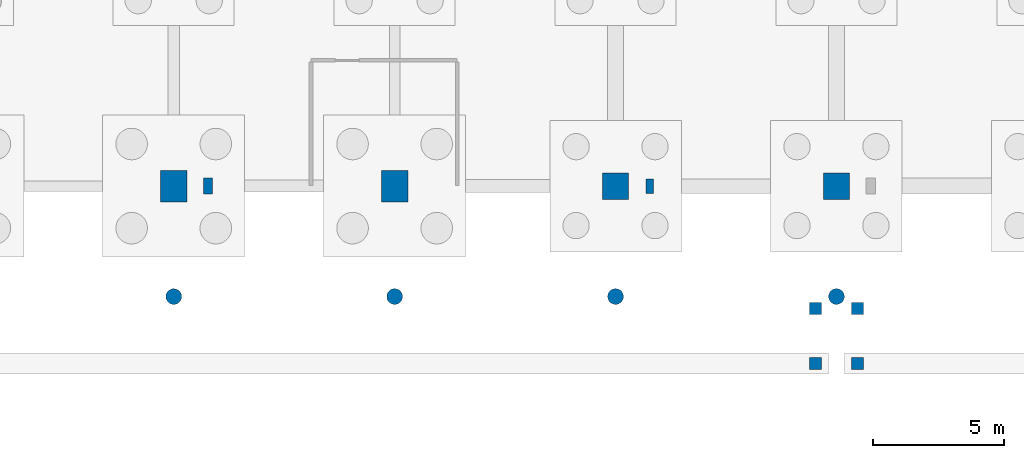
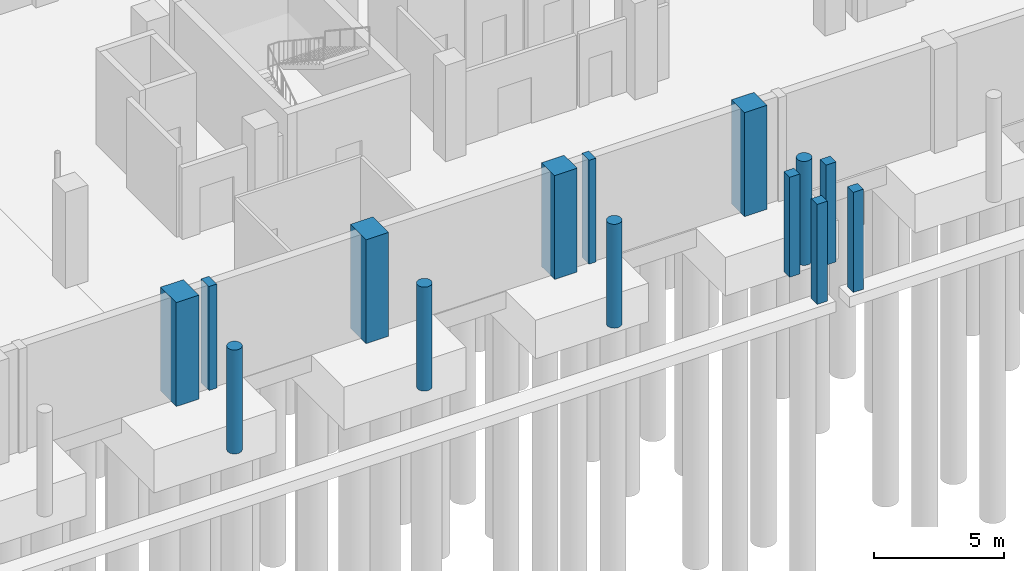
# One storey, part 12 of 39: 14 columns.
"""IFC4 building model written with IfcOpenShell, lengths in metres."""

from ifc_helpers import new_model, si_unit, derived_unit, direction, frame, origin, origin_2d, place, context, subcontext, project, spatial, rectangle, circle, extrude, material, material_profile, profile_set, type_object, element, save


model = new_model("IFC4")

# Units and contexts
model_context = context("Model", 3, precision=1e-05, world=origin(), true_north=direction((0.0, 1.0)))
body_context = subcontext(model_context, "Body", "Model", "MODEL_VIEW")
ifc_project = project(units=[si_unit("LENGTHUNIT", "METRE"), si_unit("AREAUNIT", "SQUARE_METRE"), si_unit("VOLUMEUNIT", "CUBIC_METRE"), si_unit("PLANEANGLEUNIT", "RADIAN"), si_unit("MASSUNIT", "GRAM", prefix="KILO"), derived_unit("THERMALTRANSMITTANCEUNIT", [(si_unit("POWERUNIT", "WATT"), 1), (si_unit("LENGTHUNIT", "METRE"), -2), (si_unit("THERMODYNAMICTEMPERATUREUNIT", "KELVIN"), -1)])], contexts=[model_context])

# Site, building, storey
site_placement = place(None, origin())
site = spatial("IfcSite", under=ifc_project, at=site_placement, CompositionType="ELEMENT")
building_placement = place(site_placement, origin())
building = spatial("IfcBuilding", under=site, at=building_placement, Name="Barrovel Congress Hotel", CompositionType="ELEMENT")
storey_placement = place(building_placement, frame((0.0, 0.0, -4.5)))
storey = spatial("IfcBuildingStorey", under=building, at=storey_placement, Name="B01", CompositionType="ELEMENT", Elevation=-4.5)

# Columns
ifc_material_1 = material(Name="Concrete C40", Category="concrete")
ifc_material_profile_1 = material_profile(ifc_material_1, circle(Radius=0.300048828125, at=origin_2d()), Name="RC-D600")
ifc_profile_set_1 = profile_set([ifc_material_profile_1], Name="Concrete C40")
column_type_1 = type_object("IfcColumnType", Name="COL-RC-D600", PredefinedType="COLUMN", material=ifc_profile_set_1)
for number, where, z_axis, x_axis, name in (
    (1, (67.199951171875, 0.0, -0.360107421875), (0.0, 0.0, 1.0), (1.0, 0.0, 0.0), "COL:B01:67.2:0.0"),
    (2, (75.60009765625, 0.0, -0.360107421875), (0.0, 0.0, 1.0), (1.0, 0.0, 0.0), "COL:B01:75.6:0.0"),
    (3, (84.0, 0.0, -0.360107421875), (0.0, 0.0, 1.0), (1.0, 0.0, 0.0), "COL:B01:84.0:0.0"),
    (4, (92.39990234375, 0.0, -0.360107421875), (0.0, 0.0, 1.0), (1.0, 0.0, 0.0), "COL:B01:92.4:0.0"),
):
    element("IfcColumn", number, at=place(storey_placement, frame(where, z_axis=z_axis, x_axis=x_axis)), inside=storey, type_object=column_type_1, Name=name, PredefinedType="COLUMN", context=body_context, shape_type="SweptSolid", body=[
        extrude(circle(Radius=0.300048828125, at=origin_2d()), origin(), (0.0, 0.0, 1.0), 4.860107421875),
    ])
ifc_material_2 = material(Name="Concrete C50", Category="concrete")
ifc_material_profile_2 = material_profile(ifc_material_2, rectangle(XDim=1.0, YDim=1.0, at=origin_2d()), Name="RC1000x1000")
ifc_profile_set_2 = profile_set([ifc_material_profile_2], Name="Concrete C50")
column_type_2 = type_object("IfcColumnType", Name="COL-RC1000x1000", PredefinedType="COLUMN", material=ifc_profile_set_2)
for number, where, z_axis, x_axis, name in (
    (5, (84.0, 4.199951171875, -0.360107421875), (0.0, 0.0, 1.0), (1.0, 0.0, 0.0), "COL:B01:84.0:4.2"),
    (6, (92.39990234375, 4.199951171875, -0.360107421875), (0.0, 0.0, 1.0), (1.0, 0.0, 0.0), "COL:B01:92.4:4.2"),
):
    element("IfcColumn", number, at=place(storey_placement, frame(where, z_axis=z_axis, x_axis=x_axis)), inside=storey, type_object=column_type_2, Name=name, PredefinedType="COLUMN", context=body_context, shape_type="SweptSolid", body=[
        extrude(rectangle(XDim=1.0, YDim=1.0, at=origin_2d()), origin(), (0.0, 0.0, 1.0), 4.860107421875),
    ])
ifc_material_profile_3 = material_profile(ifc_material_2, rectangle(XDim=1.0, YDim=1.199951171875, at=origin_2d()), Name="RC1000x1200")
ifc_profile_set_3 = profile_set([ifc_material_profile_3], Name="Concrete C50")
column_type_3 = type_object("IfcColumnType", Name="COL-RC1000x1200", PredefinedType="COLUMN", material=ifc_profile_set_3)
for number, where, z_axis, x_axis, name in (
    (7, (67.199951171875, 4.199951171875, -0.360107421875), (0.0, 0.0, 1.0), (1.0, 0.0, 0.0), "COL:B01:67.2:4.2"),
    (8, (75.60009765625, 4.199951171875, -0.360107421875), (0.0, 0.0, 1.0), (1.0, 0.0, 0.0), "COL:B01:75.6:4.2"),
):
    element("IfcColumn", number, at=place(storey_placement, frame(where, z_axis=z_axis, x_axis=x_axis)), inside=storey, type_object=column_type_3, Name=name, PredefinedType="COLUMN", context=body_context, shape_type="SweptSolid", body=[
        extrude(rectangle(XDim=1.0, YDim=1.199951171875, at=origin_2d()), origin(), (0.0, 0.0, 1.0), 4.860107421875),
    ])
ifc_material_profile_4 = material_profile(ifc_material_1, rectangle(XDim=0.449951171875, YDim=0.449951171875, at=origin_2d()), Name="RC450x450")
ifc_profile_set_4 = profile_set([ifc_material_profile_4], Name="Concrete C40")
column_type_4 = type_object("IfcColumnType", Name="COL-RC450x450", PredefinedType="COLUMN", material=ifc_profile_set_4)
for number, where, z_axis, x_axis, name in (
    (9, (91.60009765625, -2.550048828125, -0.360107421875), (0.0, 0.0, 1.0), (1.0, 0.0, 0.0), "COL:PAV-SOUTH-W:2"),
    (10, (91.60009765625, -0.449951171875, -0.360107421875), (0.0, 0.0, 1.0), (1.0, 0.0, 0.0), "COL:PAV-SOUTH-W:3"),
    (11, (93.199951171875, -2.550048828125, -0.360107421875), (0.0, 0.0, 1.0), (1.0, 0.0, 0.0), "COL:PAV-SOUTH-E:1"),
    (12, (93.199951171875, -0.449951171875, -0.360107421875), (0.0, 0.0, 1.0), (1.0, 0.0, 0.0), "COL:PAV-SOUTH-E:4"),
):
    element("IfcColumn", number, at=place(storey_placement, frame(where, z_axis=z_axis, x_axis=x_axis)), inside=storey, type_object=column_type_4, Name=name, PredefinedType="COLUMN", context=body_context, shape_type="SweptSolid", body=[
        extrude(rectangle(XDim=0.449951171875, YDim=0.449951171875, at=origin_2d()), origin(), (0.0, 0.0, 1.0), 4.68017578125),
    ])
ifc_material_profile_5 = material_profile(ifc_material_1, rectangle(XDim=0.300048828125, YDim=0.550048828125, at=origin_2d()), Name="RC300x550")
ifc_profile_set_5 = profile_set([ifc_material_profile_5], Name="Concrete C40")
column_type_5 = type_object("IfcColumnType", Name="PIL-RC300x550", PredefinedType="PILASTER", material=ifc_profile_set_5)
column_1_placement = place(storey_placement, frame((85.300048828125, 4.199951171875, -0.360107421875), z_axis=(0.0, 0.0, 1.0), x_axis=(1.0, 0.0, 0.0)))
element("IfcColumn", 13, at=column_1_placement, inside=storey, type_object=column_type_5, Name="PIL:B01:S:85.3", PredefinedType="PILASTER", context=body_context, shape_type="SweptSolid", body=[
    extrude(rectangle(XDim=0.300048828125, YDim=0.550048828125, at=origin_2d()), origin(), (0.0, 0.0, 1.0), 4.860107421875),
])
ifc_material_profile_6 = material_profile(ifc_material_1, rectangle(XDim=0.35009765625, YDim=0.60009765625, at=origin_2d()), Name="RC350x600")
ifc_profile_set_6 = profile_set([ifc_material_profile_6], Name="Concrete C40")
column_type_6 = type_object("IfcColumnType", Name="PIL-RC350x600", PredefinedType="PILASTER", material=ifc_profile_set_6)
column_2_placement = place(storey_placement, frame((68.5, 4.199951171875, -0.360107421875), z_axis=(0.0, 0.0, 1.0), x_axis=(1.0, 0.0, 0.0)))
element("IfcColumn", 14, at=column_2_placement, inside=storey, type_object=column_type_6, Name="PIL:B01:S:68.5", PredefinedType="PILASTER", context=body_context, shape_type="SweptSolid", body=[
    extrude(rectangle(XDim=0.35009765625, YDim=0.60009765625, at=origin_2d()), origin(), (0.0, 0.0, 1.0), 4.860107421875),
])

save(model, "model.ifc")
